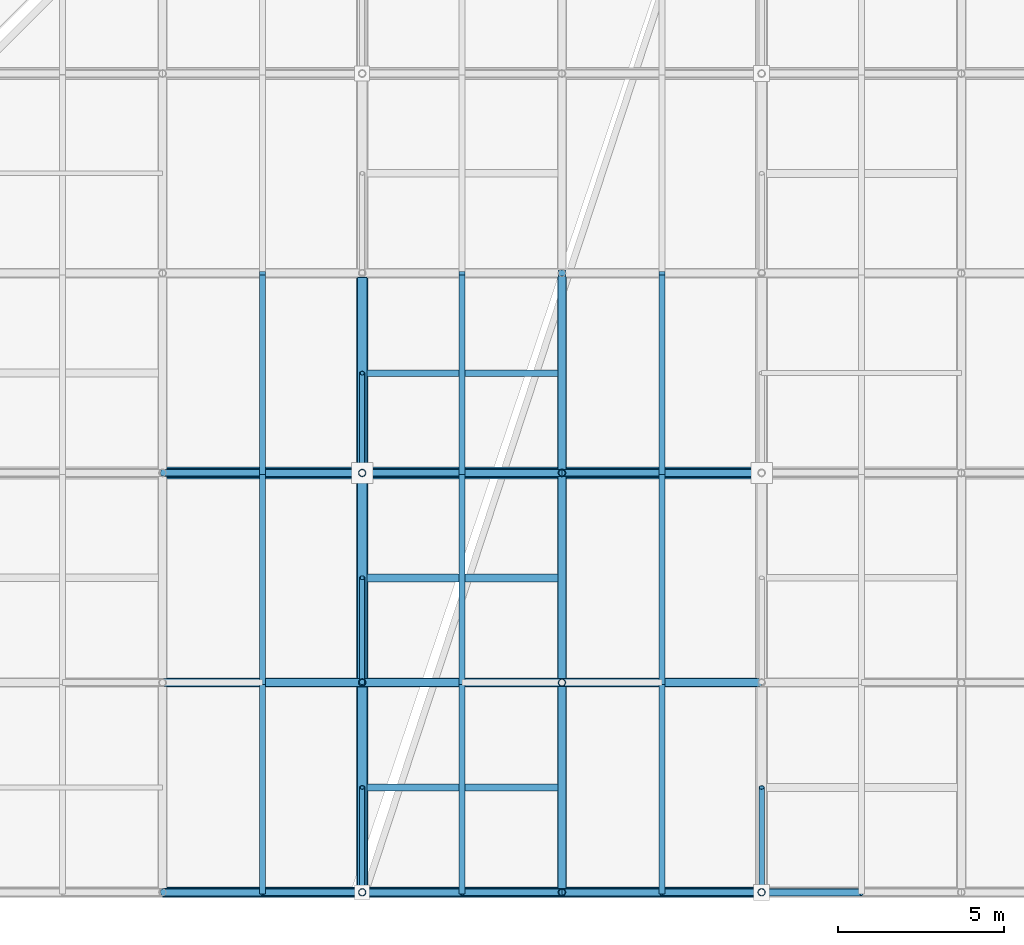
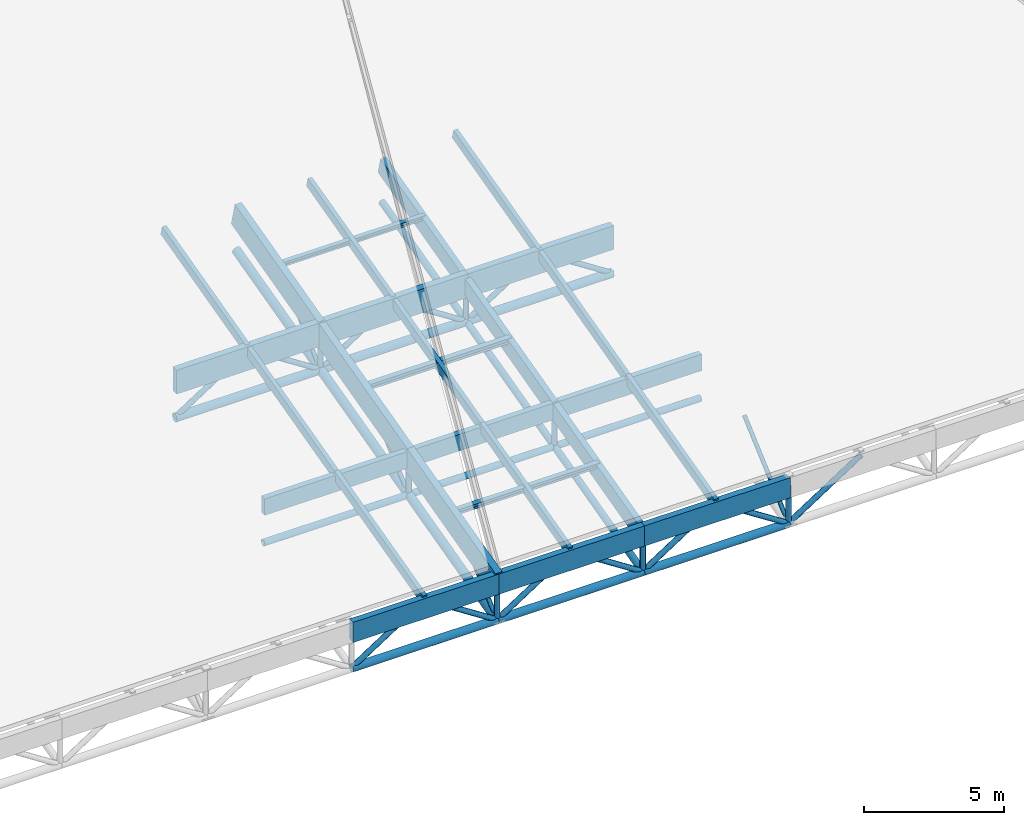
# One storey, part 8 of 80: 66 members.
"""IFC4 building model written with IfcOpenShell, lengths in metres."""

from ifc_helpers import new_model, si_unit, direction, frame, origin, origin_2d, place, context, subcontext, project, spatial, rectangle, hollow_circle, i_section, extrude, material, material_profile, profile_set, type_object, element, save


model = new_model("IFC4")

# Units and contexts
model_context = context("Model", 3, precision=1e-05, world=origin(), true_north=direction((0.0, 1.0)))
body_context = subcontext(model_context, "Body", "Model", "MODEL_VIEW")
ifc_project = project(units=[si_unit("LENGTHUNIT", "METRE"), si_unit("AREAUNIT", "SQUARE_METRE"), si_unit("VOLUMEUNIT", "CUBIC_METRE"), si_unit("PLANEANGLEUNIT", "RADIAN"), si_unit("MASSUNIT", "GRAM", prefix="KILO"), si_unit("THERMODYNAMICTEMPERATUREUNIT", "KELVIN"), si_unit("POWERUNIT", "WATT")], contexts=[model_context])

# Site, building, storey
site_placement = place(None, origin())
site = spatial("IfcSite", under=ifc_project, at=site_placement, CompositionType="ELEMENT")
building_placement = place(site_placement, origin())
building = spatial("IfcBuilding", under=site, at=building_placement, Name="Solmara Park Aquatics Centre", CompositionType="ELEMENT")
storey_placement = place(building_placement, frame((0.0, 0.0, 22.800048828125)))
storey = spatial("IfcBuildingStorey", under=building, at=storey_placement, Name="RF", CompositionType="ELEMENT", Elevation=22.800048828125)

# Members
ifc_material_1 = material(Name="Structural Steel S355", Category="steel")
ifc_material_profile_1 = material_profile(ifc_material_1, hollow_circle(Radius=0.084228515625, WallThickness=0.008056640625, at=origin_2d()), Name="CHS 168.3x8")
ifc_profile_set_1 = profile_set([ifc_material_profile_1], Name="Structural Steel S355")
member_type_1 = type_object("IfcMemberType", Name="STR-BRC-CHS168", PredefinedType="BRACE", material=ifc_profile_set_1)
for number, where, z_axis, x_axis, name in (
    (1, (36.60009765625, 0.0, -14.400146484375), (0.0, 0.748026356938, 0.663669020917), (-1.0, 0.0, 0.0), "Roof Truss Web Diagonal Y 1852"),
    (2, (48.60009765625, 0.0, -14.400146484375), (0.0, 0.748026356938, 0.663669020917), (-1.0, 0.0, 0.0), "Roof Truss Web Diagonal Y 1853"),
    (3, (36.60009765625, 6.300048828125, -12.770751953125), (0.0, 0.748026356938, 0.663669020917), (-1.0, 0.0, 0.0), "Roof Truss Web Diagonal Y 1873"),
):
    element("IfcMember", number, at=place(storey_placement, frame(where, z_axis=z_axis, x_axis=x_axis)), inside=storey, type_object=member_type_1, Name=name, PredefinedType="BRACE", context=body_context, shape_type="SweptSolid", body=[
        extrude(hollow_circle(Radius=0.084228515625, WallThickness=0.008056640625, at=origin_2d()), origin(), (0.0, 0.0, 1.0), 4.2109375),
    ])
member_1_placement = place(storey_placement, frame((36.60009765625, 12.60009765625, -11.141357421875), z_axis=(0.0, 0.736467121275, 0.676473339667), x_axis=(-1.0, 0.0, 0.0)))
element("IfcMember", 4, at=member_1_placement, inside=storey, type_object=member_type_1, Name="Roof Truss Web Diagonal Y 1895", PredefinedType="BRACE", context=body_context, shape_type="SweptSolid", body=[
    extrude(hollow_circle(Radius=0.084228515625, WallThickness=0.008056640625, at=origin_2d()), origin(), (0.0, 0.0, 1.0), 4.073486328125),
])
ifc_material_profile_2 = material_profile(ifc_material_1, hollow_circle(Radius=0.109619140625, WallThickness=0.010009765625, at=origin_2d()), Name="CHS 219.1x10")
ifc_profile_set_2 = profile_set([ifc_material_profile_2], Name="Structural Steel S355")
member_type_2 = type_object("IfcMemberType", Name="STR-BRC-CHS219", PredefinedType="BRACE", material=ifc_profile_set_2)
for number, where, z_axis, x_axis, name in (
    (5, (30.60009765625, 0.0, -14.400146484375), (0.839696636896, 0.0, 0.543055759555), (0.0, 1.0, 0.0), "Roof Truss Web Diagonal X 1489"),
    (6, (36.60009765625, 0.0, -14.400146484375), (-0.839696636896, 0.0, 0.543055759555), (0.0, -1.0, 0.0), "Roof Truss Web Diagonal X 1490"),
):
    element("IfcMember", number, at=place(storey_placement, frame(where, z_axis=z_axis, x_axis=x_axis)), inside=storey, type_object=member_type_2, Name=name, PredefinedType="BRACE", context=body_context, shape_type="SweptSolid", body=[
        extrude(hollow_circle(Radius=0.109619140625, WallThickness=0.010009765625, at=origin_2d()), origin(), (0.0, 0.0, 1.0), 3.57275390625),
    ])
for number, where, z_axis, x_axis, name in (
    (7, (30.60009765625, 12.60009765625, -11.141357421875), (0.83972779743, 0.0, 0.543007574738), (0.0, 1.0, 0.0), "Roof Truss Web Diagonal X 1491"),
    (8, (36.60009765625, 12.60009765625, -11.141357421875), (-0.83972779743, 0.0, 0.543007574738), (0.0, -1.0, 0.0), "Roof Truss Web Diagonal X 1492"),
):
    element("IfcMember", number, at=place(storey_placement, frame(where, z_axis=z_axis, x_axis=x_axis)), inside=storey, type_object=member_type_2, Name=name, PredefinedType="BRACE", context=body_context, shape_type="SweptSolid", body=[
        extrude(hollow_circle(Radius=0.109619140625, WallThickness=0.010009765625, at=origin_2d()), origin(), (0.0, 0.0, 1.0), 3.572509765625),
    ])
for number, where, z_axis, x_axis, name in (
    (9, (36.60009765625, 0.0, -14.400146484375), (0.839696636896, 0.0, 0.543055759555), (0.0, 1.0, 0.0), "Roof Truss Web Diagonal X 1517"),
    (10, (42.60009765625, 0.0, -14.400146484375), (-0.839696636896, 0.0, 0.543055759555), (0.0, -1.0, 0.0), "Roof Truss Web Diagonal X 1518"),
):
    element("IfcMember", number, at=place(storey_placement, frame(where, z_axis=z_axis, x_axis=x_axis)), inside=storey, type_object=member_type_2, Name=name, PredefinedType="BRACE", context=body_context, shape_type="SweptSolid", body=[
        extrude(hollow_circle(Radius=0.109619140625, WallThickness=0.010009765625, at=origin_2d()), origin(), (0.0, 0.0, 1.0), 3.57275390625),
    ])
for number, where, z_axis, x_axis, name in (
    (11, (36.60009765625, 12.60009765625, -11.141357421875), (0.83972779743, 0.0, 0.543007574738), (0.0, 1.0, 0.0), "Roof Truss Web Diagonal X 1519"),
    (12, (42.60009765625, 12.60009765625, -11.141357421875), (-0.83972779743, 0.0, 0.543007574738), (0.0, -1.0, 0.0), "Roof Truss Web Diagonal X 1520"),
):
    element("IfcMember", number, at=place(storey_placement, frame(where, z_axis=z_axis, x_axis=x_axis)), inside=storey, type_object=member_type_2, Name=name, PredefinedType="BRACE", context=body_context, shape_type="SweptSolid", body=[
        extrude(hollow_circle(Radius=0.109619140625, WallThickness=0.010009765625, at=origin_2d()), origin(), (0.0, 0.0, 1.0), 3.572509765625),
    ])
for number, where, z_axis, x_axis, name in (
    (13, (42.60009765625, 0.0, -14.400146484375), (0.839696636896, 0.0, 0.543055759555), (0.0, 1.0, 0.0), "Roof Truss Web Diagonal X 1547"),
    (14, (48.60009765625, 0.0, -14.400146484375), (-0.839696636896, 0.0, 0.543055759555), (0.0, -1.0, 0.0), "Roof Truss Web Diagonal X 1548"),
):
    element("IfcMember", number, at=place(storey_placement, frame(where, z_axis=z_axis, x_axis=x_axis)), inside=storey, type_object=member_type_2, Name=name, PredefinedType="BRACE", context=body_context, shape_type="SweptSolid", body=[
        extrude(hollow_circle(Radius=0.109619140625, WallThickness=0.010009765625, at=origin_2d()), origin(), (0.0, 0.0, 1.0), 3.57275390625),
    ])
for number, where, z_axis, x_axis, name in (
    (15, (42.60009765625, 12.60009765625, -11.141357421875), (0.83972779743, 0.0, 0.543007574738), (0.0, 1.0, 0.0), "Roof Truss Web Diagonal X 1549"),
    (16, (48.60009765625, 12.60009765625, -11.141357421875), (-0.83972779743, 0.0, 0.543007574738), (0.0, -1.0, 0.0), "Roof Truss Web Diagonal X 1550"),
):
    element("IfcMember", number, at=place(storey_placement, frame(where, z_axis=z_axis, x_axis=x_axis)), inside=storey, type_object=member_type_2, Name=name, PredefinedType="BRACE", context=body_context, shape_type="SweptSolid", body=[
        extrude(hollow_circle(Radius=0.109619140625, WallThickness=0.010009765625, at=origin_2d()), origin(), (0.0, 0.0, 1.0), 3.572509765625),
    ])
member_2_placement = place(storey_placement, frame((48.60009765625, 0.0, -14.400146484375), z_axis=(0.839696636896, 0.0, 0.543055759555), x_axis=(0.0, 1.0, 0.0)))
element("IfcMember", 17, at=member_2_placement, inside=storey, type_object=member_type_2, Name="Roof Truss Web Diagonal X 1577", PredefinedType="BRACE", context=body_context, shape_type="SweptSolid", body=[
    extrude(hollow_circle(Radius=0.109619140625, WallThickness=0.010009765625, at=origin_2d()), origin(), (0.0, 0.0, 1.0), 3.57275390625),
])
ifc_material_profile_3 = material_profile(ifc_material_1, hollow_circle(Radius=0.136474609375, WallThickness=0.012451171875, at=origin_2d()), Name="CHS 273x12.5")
ifc_profile_set_3 = profile_set([ifc_material_profile_3], Name="Structural Steel S355")
member_type_3 = type_object("IfcMemberType", Name="STR-CHD-CHS273", PredefinedType="CHORD", material=ifc_profile_set_3)
for number, where, z_axis, x_axis, name in (
    (18, (30.60009765625, 6.300048828125, -12.770751953125), (1.0, 0.0, 0.0), (0.0, 1.0, 0.0), "Steel Roof Truss Bottom Chord X 0048"),
    (19, (36.60009765625, 6.300048828125, -12.770751953125), (1.0, 0.0, 0.0), (0.0, 1.0, 0.0), "Steel Roof Truss Bottom Chord X 0050"),
    (20, (42.60009765625, 6.300048828125, -12.770751953125), (1.0, 0.0, 0.0), (0.0, 1.0, 0.0), "Steel Roof Truss Bottom Chord X 0052"),
):
    element("IfcMember", number, at=place(storey_placement, frame(where, z_axis=z_axis, x_axis=x_axis)), inside=storey, type_object=member_type_3, Name=name, PredefinedType="CHORD", context=body_context, shape_type="SweptSolid", body=[
        extrude(hollow_circle(Radius=0.136474609375, WallThickness=0.012451171875, at=origin_2d()), origin(), (0.0, 0.0, 1.0), 6.0),
    ])
for number, where, z_axis, x_axis, name in (
    (21, (42.60009765625, 0.0, -14.400146484375), (0.0, 0.968144245908, 0.25039312913), (-1.0, 0.0, 0.0), "Steel Roof Truss Bottom Chord Y 0738"),
    (22, (42.60009765625, 6.300048828125, -12.770751953125), (0.0, 0.968144245908, 0.25039312913), (-1.0, 0.0, 0.0), "Steel Roof Truss Bottom Chord Y 0740"),
):
    element("IfcMember", number, at=place(storey_placement, frame(where, z_axis=z_axis, x_axis=x_axis)), inside=storey, type_object=member_type_3, Name=name, PredefinedType="CHORD", context=body_context, shape_type="SweptSolid", body=[
        extrude(hollow_circle(Radius=0.136474609375, WallThickness=0.012451171875, at=origin_2d()), origin(), (0.0, 0.0, 1.0), 6.50732421875),
    ])
member_3_placement = place(storey_placement, frame((42.60009765625, 12.60009765625, -11.141357421875), z_axis=(0.0, 0.968155143395, 0.250350990246), x_axis=(-1.0, 0.0, 0.0)))
element("IfcMember", 23, at=member_3_placement, inside=storey, type_object=member_type_3, Name="Steel Roof Truss Bottom Chord Y 0742", PredefinedType="CHORD", context=body_context, shape_type="SweptSolid", body=[
    extrude(hollow_circle(Radius=0.136474609375, WallThickness=0.012451171875, at=origin_2d()), origin(), (0.0, 0.0, 1.0), 6.197265625),
])
ifc_material_profile_4 = material_profile(ifc_material_1, hollow_circle(Radius=0.161865234375, WallThickness=0.01611328125, at=origin_2d()), Name="CHS 323.9x16")
ifc_profile_set_4 = profile_set([ifc_material_profile_4], Name="Structural Steel S355")
member_type_4 = type_object("IfcMemberType", Name="STR-CHD-CHS323", PredefinedType="CHORD", material=ifc_profile_set_4)
for number, where, z_axis, x_axis, name in (
    (24, (30.60009765625, 0.0, -14.400146484375), (1.0, 0.0, 0.0), (0.0, 1.0, 0.0), "Steel Roof Truss Bottom Chord X 0012"),
    (25, (36.60009765625, 0.0, -14.400146484375), (1.0, 0.0, 0.0), (0.0, 1.0, 0.0), "Steel Roof Truss Bottom Chord X 0014"),
    (26, (42.60009765625, 0.0, -14.400146484375), (1.0, 0.0, 0.0), (0.0, 1.0, 0.0), "Steel Roof Truss Bottom Chord X 0016"),
):
    element("IfcMember", number, at=place(storey_placement, frame(where, z_axis=z_axis, x_axis=x_axis)), inside=storey, type_object=member_type_4, Name=name, PredefinedType="CHORD", context=body_context, shape_type="SweptSolid", body=[
        extrude(hollow_circle(Radius=0.161865234375, WallThickness=0.01611328125, at=origin_2d()), origin(), (0.0, 0.0, 1.0), 6.0),
    ])
ifc_material_profile_5 = material_profile(ifc_material_1, hollow_circle(Radius=0.177734375, WallThickness=0.01611328125, at=origin_2d()), Name="CHS 355.6x16")
ifc_profile_set_5 = profile_set([ifc_material_profile_5], Name="Structural Steel S355")
member_type_5 = type_object("IfcMemberType", Name="STR-CHD-CHS355", PredefinedType="CHORD", material=ifc_profile_set_5)
for number, where, z_axis, x_axis, name in (
    (27, (30.60009765625, 12.60009765625, -11.141357421875), (1.0, 0.0, 0.0), (0.0, 1.0, 0.0), "Steel Roof Truss Bottom Chord X 0084"),
    (28, (36.60009765625, 12.60009765625, -11.141357421875), (1.0, 0.0, 0.0), (0.0, 1.0, 0.0), "Steel Roof Truss Bottom Chord X 0086"),
    (29, (42.60009765625, 12.60009765625, -11.141357421875), (1.0, 0.0, 0.0), (0.0, 1.0, 0.0), "Steel Roof Truss Bottom Chord X 0088"),
):
    element("IfcMember", number, at=place(storey_placement, frame(where, z_axis=z_axis, x_axis=x_axis)), inside=storey, type_object=member_type_5, Name=name, PredefinedType="CHORD", context=body_context, shape_type="SweptSolid", body=[
        extrude(hollow_circle(Radius=0.177734375, WallThickness=0.01611328125, at=origin_2d()), origin(), (0.0, 0.0, 1.0), 6.0),
    ])
for number, where, z_axis, x_axis, name in (
    (30, (36.60009765625, 0.0, -14.400146484375), (0.0, 0.968144245908, 0.25039312913), (-1.0, 0.0, 0.0), "Steel Roof Truss Bottom Chord Y 0710"),
    (31, (36.60009765625, 6.300048828125, -12.770751953125), (0.0, 0.968144245908, 0.25039312913), (-1.0, 0.0, 0.0), "Steel Roof Truss Bottom Chord Y 0712"),
):
    element("IfcMember", number, at=place(storey_placement, frame(where, z_axis=z_axis, x_axis=x_axis)), inside=storey, type_object=member_type_5, Name=name, PredefinedType="CHORD", context=body_context, shape_type="SweptSolid", body=[
        extrude(hollow_circle(Radius=0.177734375, WallThickness=0.01611328125, at=origin_2d()), origin(), (0.0, 0.0, 1.0), 6.50732421875),
    ])
member_4_placement = place(storey_placement, frame((36.60009765625, 12.60009765625, -11.141357421875), z_axis=(0.0, 0.968155143395, 0.250350990246), x_axis=(-1.0, 0.0, 0.0)))
element("IfcMember", 32, at=member_4_placement, inside=storey, type_object=member_type_5, Name="Steel Roof Truss Bottom Chord Y 0714", PredefinedType="CHORD", context=body_context, shape_type="SweptSolid", body=[
    extrude(hollow_circle(Radius=0.177734375, WallThickness=0.01611328125, at=origin_2d()), origin(), (0.0, 0.0, 1.0), 6.197265625),
])
ifc_material_2 = material(Name="Glulam Timber GL28h", Category="wood")
ifc_material_profile_6 = material_profile(ifc_material_2, rectangle(XDim=0.239990234375, YDim=0.719970703125, at=origin_2d()), Name="GL28h 240x720")
ifc_profile_set_6 = profile_set([ifc_material_profile_6], Name="Glulam Timber GL28h")
member_type_6 = type_object("IfcMemberType", Name="STR-CHD-GL240x720", PredefinedType="CHORD", material=ifc_profile_set_6)
for number, where, z_axis, x_axis, name in (
    (33, (30.60009765625, 6.300048828125, -11.150634765625), (1.0, 0.0, 0.0), (0.0, 1.0, 0.0), "Glulam Roof Truss Top Chord X 0047"),
    (34, (36.60009765625, 6.300048828125, -11.150634765625), (1.0, 0.0, 0.0), (0.0, 1.0, 0.0), "Glulam Roof Truss Top Chord X 0049"),
    (35, (42.60009765625, 6.300048828125, -11.150634765625), (1.0, 0.0, 0.0), (0.0, 1.0, 0.0), "Glulam Roof Truss Top Chord X 0051"),
):
    element("IfcMember", number, at=place(storey_placement, frame(where, z_axis=z_axis, x_axis=x_axis)), inside=storey, type_object=member_type_6, Name=name, PredefinedType="CHORD", context=body_context, shape_type="SweptSolid", body=[
        extrude(rectangle(XDim=0.239990234375, YDim=0.719970703125, at=origin_2d()), origin(), (0.0, 0.0, 1.0), 6.0),
    ])
for number, where, z_axis, x_axis, name in (
    (36, (42.60009765625, 0.0, -12.780029296875), (0.0, 0.968144245908, 0.25039312913), (-1.0, 0.0, 0.0), "Glulam Roof Truss Top Chord Y 0737"),
    (37, (42.60009765625, 6.300048828125, -11.150634765625), (0.0, 0.96815334027, 0.250357963171), (-1.0, 0.0, 0.0), "Glulam Roof Truss Top Chord Y 0739"),
):
    element("IfcMember", number, at=place(storey_placement, frame(where, z_axis=z_axis, x_axis=x_axis)), inside=storey, type_object=member_type_6, Name=name, PredefinedType="CHORD", context=body_context, shape_type="SweptSolid", body=[
        extrude(rectangle(XDim=0.239990234375, YDim=0.719970703125, at=origin_2d()), origin(), (0.0, 0.0, 1.0), 6.50732421875),
    ])
member_5_placement = place(storey_placement, frame((42.60009765625, 12.60009765625, -9.521484375), z_axis=(0.0, 0.968145594442, 0.250387914969), x_axis=(-1.0, 0.0, 0.0)))
element("IfcMember", 38, at=member_5_placement, inside=storey, type_object=member_type_6, Name="Glulam Roof Truss Top Chord Y 0741", PredefinedType="CHORD", context=body_context, shape_type="SweptSolid", body=[
    extrude(rectangle(XDim=0.239990234375, YDim=0.719970703125, at=origin_2d()), origin(), (0.0, 0.0, 1.0), 6.197509765625),
])
ifc_material_profile_7 = material_profile(ifc_material_2, rectangle(XDim=0.260009765625, YDim=0.8798828125, at=origin_2d()), Name="GL28h 260x880")
ifc_profile_set_7 = profile_set([ifc_material_profile_7], Name="Glulam Timber GL28h")
member_type_7 = type_object("IfcMemberType", Name="STR-CHD-GL260x880", PredefinedType="CHORD", material=ifc_profile_set_7)
for number, where, z_axis, x_axis, name in (
    (39, (30.60009765625, 0.0, -12.780029296875), (1.0, 0.0, 0.0), (0.0, 1.0, 0.0), "Glulam Roof Truss Top Chord X 0011"),
    (40, (36.60009765625, 0.0, -12.780029296875), (1.0, 0.0, 0.0), (0.0, 1.0, 0.0), "Glulam Roof Truss Top Chord X 0013"),
    (41, (42.60009765625, 0.0, -12.780029296875), (1.0, 0.0, 0.0), (0.0, 1.0, 0.0), "Glulam Roof Truss Top Chord X 0015"),
):
    element("IfcMember", number, at=place(storey_placement, frame(where, z_axis=z_axis, x_axis=x_axis)), inside=storey, type_object=member_type_7, Name=name, PredefinedType="CHORD", context=body_context, shape_type="SweptSolid", body=[
        extrude(rectangle(XDim=0.260009765625, YDim=0.8798828125, at=origin_2d()), origin(), (0.0, 0.0, 1.0), 6.0),
    ])
ifc_material_profile_8 = material_profile(ifc_material_2, rectangle(XDim=0.280029296875, YDim=1.0400390625, at=origin_2d()), Name="GL28h 280x1040")
ifc_profile_set_8 = profile_set([ifc_material_profile_8], Name="Glulam Timber GL28h")
member_type_8 = type_object("IfcMemberType", Name="STR-CHD-GL280x1040", PredefinedType="CHORD", material=ifc_profile_set_8)
for number, where, z_axis, x_axis, name in (
    (42, (30.60009765625, 12.60009765625, -9.521484375), (1.0, 0.0, 0.0), (0.0, 1.0, 0.0), "Glulam Roof Truss Top Chord X 0083"),
    (43, (36.60009765625, 12.60009765625, -9.521484375), (1.0, 0.0, 0.0), (0.0, 1.0, 0.0), "Glulam Roof Truss Top Chord X 0085"),
    (44, (42.60009765625, 12.60009765625, -9.521484375), (1.0, 0.0, 0.0), (0.0, 1.0, 0.0), "Glulam Roof Truss Top Chord X 0087"),
):
    element("IfcMember", number, at=place(storey_placement, frame(where, z_axis=z_axis, x_axis=x_axis)), inside=storey, type_object=member_type_8, Name=name, PredefinedType="CHORD", context=body_context, shape_type="SweptSolid", body=[
        extrude(rectangle(XDim=0.280029296875, YDim=1.0400390625, at=origin_2d()), origin(), (0.0, 0.0, 1.0), 6.0),
    ])
for number, where, z_axis, x_axis, name in (
    (45, (36.60009765625, 0.0, -12.780029296875), (0.0, 0.968144245908, 0.25039312913), (-1.0, 0.0, 0.0), "Glulam Roof Truss Top Chord Y 0709"),
    (46, (36.60009765625, 6.300048828125, -11.150634765625), (0.0, 0.96815334027, 0.250357963171), (-1.0, 0.0, 0.0), "Glulam Roof Truss Top Chord Y 0711"),
):
    element("IfcMember", number, at=place(storey_placement, frame(where, z_axis=z_axis, x_axis=x_axis)), inside=storey, type_object=member_type_8, Name=name, PredefinedType="CHORD", context=body_context, shape_type="SweptSolid", body=[
        extrude(rectangle(XDim=0.280029296875, YDim=1.0400390625, at=origin_2d()), origin(), (0.0, 0.0, 1.0), 6.50732421875),
    ])
member_6_placement = place(storey_placement, frame((36.60009765625, 12.60009765625, -9.521484375), z_axis=(0.0, 0.968145594442, 0.250387914969), x_axis=(-1.0, 0.0, 0.0)))
element("IfcMember", 47, at=member_6_placement, inside=storey, type_object=member_type_8, Name="Glulam Roof Truss Top Chord Y 0713", PredefinedType="CHORD", context=body_context, shape_type="SweptSolid", body=[
    extrude(rectangle(XDim=0.280029296875, YDim=1.0400390625, at=origin_2d()), origin(), (0.0, 0.0, 1.0), 6.197509765625),
])
ifc_material_profile_9 = material_profile(ifc_material_2, rectangle(XDim=0.179931640625, YDim=0.39990234375, at=origin_2d()), Name="GL28h 180x400")
ifc_profile_set_9 = profile_set([ifc_material_profile_9], Name="Glulam Timber GL28h")
member_type_9 = type_object("IfcMemberType", Name="STR-PRL-GL180x400", PredefinedType="PURLIN", material=ifc_profile_set_9)
for number, where, z_axis, x_axis, name in (
    (48, (33.60009765625, 0.0, -12.4599609375), (0.0, 0.96815334027, 0.250357963171), (-1.0, 0.0, 0.0), "Glulam Roof Purlin 1475"),
    (49, (33.60009765625, 6.300048828125, -10.830810546875), (0.0, 0.968144245908, 0.25039312913), (-1.0, 0.0, 0.0), "Glulam Roof Purlin 1476"),
):
    element("IfcMember", number, at=place(storey_placement, frame(where, z_axis=z_axis, x_axis=x_axis)), inside=storey, type_object=member_type_9, Name=name, PredefinedType="PURLIN", context=body_context, shape_type="SweptSolid", body=[
        extrude(rectangle(XDim=0.179931640625, YDim=0.39990234375, at=origin_2d()), origin(), (0.0, 0.0, 1.0), 6.50732421875),
    ])
member_7_placement = place(storey_placement, frame((33.60009765625, 12.60009765625, -9.201416015625), z_axis=(0.0, 0.968145594442, 0.250387914969), x_axis=(-1.0, 0.0, 0.0)))
element("IfcMember", 50, at=member_7_placement, inside=storey, type_object=member_type_9, Name="Glulam Roof Purlin 1477", PredefinedType="PURLIN", context=body_context, shape_type="SweptSolid", body=[
    extrude(rectangle(XDim=0.179931640625, YDim=0.39990234375, at=origin_2d()), origin(), (0.0, 0.0, 1.0), 6.197509765625),
])
for number, where, z_axis, x_axis, name in (
    (51, (39.60009765625, 0.0, -12.4599609375), (0.0, 0.96815334027, 0.250357963171), (-1.0, 0.0, 0.0), "Glulam Roof Purlin 1503"),
    (52, (39.60009765625, 6.300048828125, -10.830810546875), (0.0, 0.968144245908, 0.25039312913), (-1.0, 0.0, 0.0), "Glulam Roof Purlin 1504"),
):
    element("IfcMember", number, at=place(storey_placement, frame(where, z_axis=z_axis, x_axis=x_axis)), inside=storey, type_object=member_type_9, Name=name, PredefinedType="PURLIN", context=body_context, shape_type="SweptSolid", body=[
        extrude(rectangle(XDim=0.179931640625, YDim=0.39990234375, at=origin_2d()), origin(), (0.0, 0.0, 1.0), 6.50732421875),
    ])
member_8_placement = place(storey_placement, frame((39.60009765625, 12.60009765625, -9.201416015625), z_axis=(0.0, 0.968145594442, 0.250387914969), x_axis=(-1.0, 0.0, 0.0)))
element("IfcMember", 53, at=member_8_placement, inside=storey, type_object=member_type_9, Name="Glulam Roof Purlin 1505", PredefinedType="PURLIN", context=body_context, shape_type="SweptSolid", body=[
    extrude(rectangle(XDim=0.179931640625, YDim=0.39990234375, at=origin_2d()), origin(), (0.0, 0.0, 1.0), 6.197509765625),
])
for number, where, z_axis, x_axis, name in (
    (54, (45.60009765625, 0.0, -12.4599609375), (0.0, 0.96815334027, 0.250357963171), (-1.0, 0.0, 0.0), "Glulam Roof Purlin 1533"),
    (55, (45.60009765625, 6.300048828125, -10.830810546875), (0.0, 0.968144245908, 0.25039312913), (-1.0, 0.0, 0.0), "Glulam Roof Purlin 1534"),
):
    element("IfcMember", number, at=place(storey_placement, frame(where, z_axis=z_axis, x_axis=x_axis)), inside=storey, type_object=member_type_9, Name=name, PredefinedType="PURLIN", context=body_context, shape_type="SweptSolid", body=[
        extrude(rectangle(XDim=0.179931640625, YDim=0.39990234375, at=origin_2d()), origin(), (0.0, 0.0, 1.0), 6.50732421875),
    ])
member_9_placement = place(storey_placement, frame((45.60009765625, 12.60009765625, -9.201416015625), z_axis=(0.0, 0.968145594442, 0.250387914969), x_axis=(-1.0, 0.0, 0.0)))
element("IfcMember", 56, at=member_9_placement, inside=storey, type_object=member_type_9, Name="Glulam Roof Purlin 1535", PredefinedType="PURLIN", context=body_context, shape_type="SweptSolid", body=[
    extrude(rectangle(XDim=0.179931640625, YDim=0.39990234375, at=origin_2d()), origin(), (0.0, 0.0, 1.0), 6.197509765625),
])
ifc_material_profile_10 = material_profile(ifc_material_1, i_section(OverallWidth=0.199951171875, OverallDepth=0.18994140625, WebThickness=0.006591796875, FlangeThickness=0.010009765625, FilletRadius=0.01806640625, at=origin_2d()), Name="HEA 200")
ifc_profile_set_10 = profile_set([ifc_material_profile_10], Name="Structural Steel S355")
member_type_10 = type_object("IfcMemberType", Name="STR-PRL-HEA200", PredefinedType="PURLIN", material=ifc_profile_set_10)
member_10_placement = place(storey_placement, frame((36.60009765625, 15.60009765625, -8.40576171875), z_axis=(1.0, 0.0, 0.0), x_axis=(0.0, 1.0, 0.0)))
element("IfcMember", 57, at=member_10_placement, inside=storey, type_object=member_type_10, Name="Glulam Secondary Roof Purlin 1884", PredefinedType="PURLIN", context=body_context, shape_type="SweptSolid", body=[
    extrude(i_section(OverallWidth=0.199951171875, OverallDepth=0.18994140625, WebThickness=0.006591796875, FlangeThickness=0.010009765625, FilletRadius=0.01806640625, at=origin_2d()), origin(), (0.0, 0.0, 1.0), 6.0),
])
ifc_material_profile_11 = material_profile(ifc_material_1, i_section(OverallWidth=0.219970703125, OverallDepth=0.2099609375, WebThickness=0.007080078125, FlangeThickness=0.010986328125, FilletRadius=0.01806640625, at=origin_2d()), Name="HEA 220")
ifc_profile_set_11 = profile_set([ifc_material_profile_11], Name="Structural Steel S355")
member_type_11 = type_object("IfcMemberType", Name="STR-PRL-HEA220", PredefinedType="PURLIN", material=ifc_profile_set_11)
member_11_placement = place(storey_placement, frame((36.60009765625, 3.14990234375, -11.62548828125), z_axis=(1.0, 0.0, 0.0), x_axis=(0.0, 1.0, 0.0)))
element("IfcMember", 58, at=member_11_placement, inside=storey, type_object=member_type_11, Name="Glulam Secondary Roof Purlin 1842", PredefinedType="PURLIN", context=body_context, shape_type="SweptSolid", body=[
    extrude(i_section(OverallWidth=0.219970703125, OverallDepth=0.2099609375, WebThickness=0.007080078125, FlangeThickness=0.010986328125, FilletRadius=0.01806640625, at=origin_2d()), origin(), (0.0, 0.0, 1.0), 6.0),
])
ifc_material_profile_12 = material_profile(ifc_material_1, i_section(OverallWidth=0.239990234375, OverallDepth=0.22998046875, WebThickness=0.007568359375, FlangeThickness=0.011962890625, FilletRadius=0.02099609375, at=origin_2d()), Name="HEA 240")
ifc_profile_set_12 = profile_set([ifc_material_profile_12], Name="Structural Steel S355")
member_type_12 = type_object("IfcMemberType", Name="STR-PRL-HEA240", PredefinedType="PURLIN", material=ifc_profile_set_12)
member_12_placement = place(storey_placement, frame((36.60009765625, 9.449951171875, -9.99609375), z_axis=(1.0, 0.0, 0.0), x_axis=(0.0, 1.0, 0.0)))
element("IfcMember", 59, at=member_12_placement, inside=storey, type_object=member_type_12, Name="Glulam Secondary Roof Purlin 1863", PredefinedType="PURLIN", context=body_context, shape_type="SweptSolid", body=[
    extrude(i_section(OverallWidth=0.239990234375, OverallDepth=0.22998046875, WebThickness=0.007568359375, FlangeThickness=0.011962890625, FilletRadius=0.02099609375, at=origin_2d()), origin(), (0.0, 0.0, 1.0), 6.0),
])
ifc_material_profile_13 = material_profile(ifc_material_1, hollow_circle(Radius=0.109619140625, WallThickness=0.010009765625, at=origin_2d()), Name="CHS 219.1x10")
ifc_profile_set_13 = profile_set([ifc_material_profile_13], Name="Structural Steel S355")
member_type_13 = type_object("IfcMemberType", Name="STR-PST-CHS219", PredefinedType="POST", material=ifc_profile_set_13)
for number, where, z_axis, x_axis, name in (
    (60, (36.60009765625, 0.0, -14.400146484375), (0.0, 0.0, 1.0), (1.0, 0.0, 0.0), "Roof Truss Web Post 1156"),
    (61, (36.60009765625, 6.300048828125, -12.770751953125), (0.0, 0.0, 1.0), (1.0, 0.0, 0.0), "Roof Truss Web Post 1157"),
):
    element("IfcMember", number, at=place(storey_placement, frame(where, z_axis=z_axis, x_axis=x_axis)), inside=storey, type_object=member_type_13, Name=name, PredefinedType="POST", context=body_context, shape_type="SweptSolid", body=[
        extrude(hollow_circle(Radius=0.109619140625, WallThickness=0.010009765625, at=origin_2d()), origin(), (0.0, 0.0, 1.0), 1.6201171875),
    ])
member_13_placement = place(storey_placement, frame((36.60009765625, 12.60009765625, -11.141357421875), z_axis=(0.0, 0.0, 1.0), x_axis=(1.0, 0.0, 0.0)))
element("IfcMember", 62, at=member_13_placement, inside=storey, type_object=member_type_13, Name="Roof Truss Web Post 1158", PredefinedType="POST", context=body_context, shape_type="SweptSolid", body=[
    extrude(hollow_circle(Radius=0.109619140625, WallThickness=0.010009765625, at=origin_2d()), origin(), (0.0, 0.0, 1.0), 1.619873046875),
])
for number, where, z_axis, x_axis, name in (
    (63, (42.60009765625, 0.0, -14.400146484375), (0.0, 0.0, 1.0), (1.0, 0.0, 0.0), "Roof Truss Web Post 1171"),
    (64, (42.60009765625, 6.300048828125, -12.770751953125), (0.0, 0.0, 1.0), (1.0, 0.0, 0.0), "Roof Truss Web Post 1172"),
):
    element("IfcMember", number, at=place(storey_placement, frame(where, z_axis=z_axis, x_axis=x_axis)), inside=storey, type_object=member_type_13, Name=name, PredefinedType="POST", context=body_context, shape_type="SweptSolid", body=[
        extrude(hollow_circle(Radius=0.109619140625, WallThickness=0.010009765625, at=origin_2d()), origin(), (0.0, 0.0, 1.0), 1.6201171875),
    ])
member_14_placement = place(storey_placement, frame((42.60009765625, 12.60009765625, -11.141357421875), z_axis=(0.0, 0.0, 1.0), x_axis=(1.0, 0.0, 0.0)))
element("IfcMember", 65, at=member_14_placement, inside=storey, type_object=member_type_13, Name="Roof Truss Web Post 1173", PredefinedType="POST", context=body_context, shape_type="SweptSolid", body=[
    extrude(hollow_circle(Radius=0.109619140625, WallThickness=0.010009765625, at=origin_2d()), origin(), (0.0, 0.0, 1.0), 1.619873046875),
])
member_15_placement = place(storey_placement, frame((48.60009765625, 0.0, -14.400146484375), z_axis=(0.0, 0.0, 1.0), x_axis=(1.0, 0.0, 0.0)))
element("IfcMember", 66, at=member_15_placement, inside=storey, type_object=member_type_13, Name="Roof Truss Web Post 1186", PredefinedType="POST", context=body_context, shape_type="SweptSolid", body=[
    extrude(hollow_circle(Radius=0.109619140625, WallThickness=0.010009765625, at=origin_2d()), origin(), (0.0, 0.0, 1.0), 1.6201171875),
])

save(model, "model.ifc")
